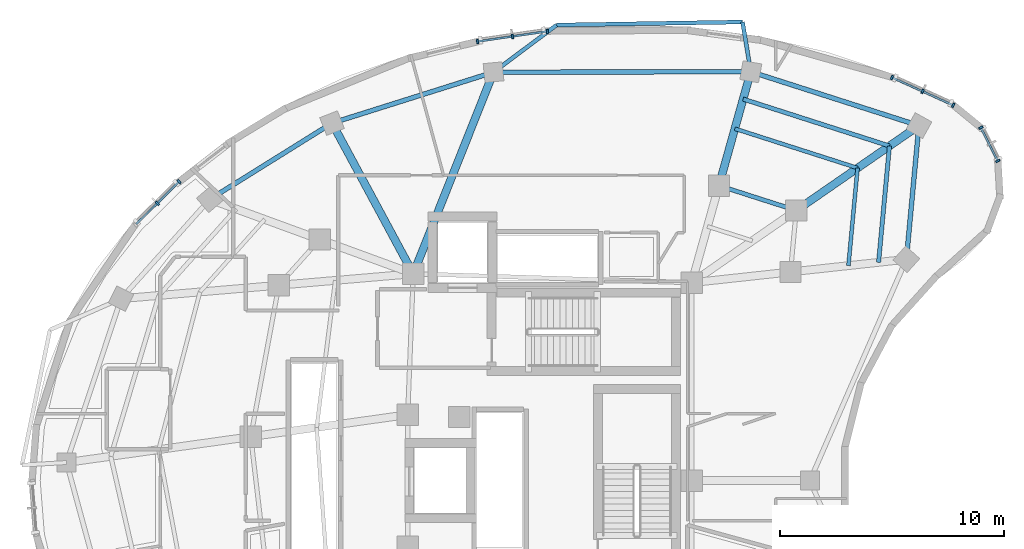
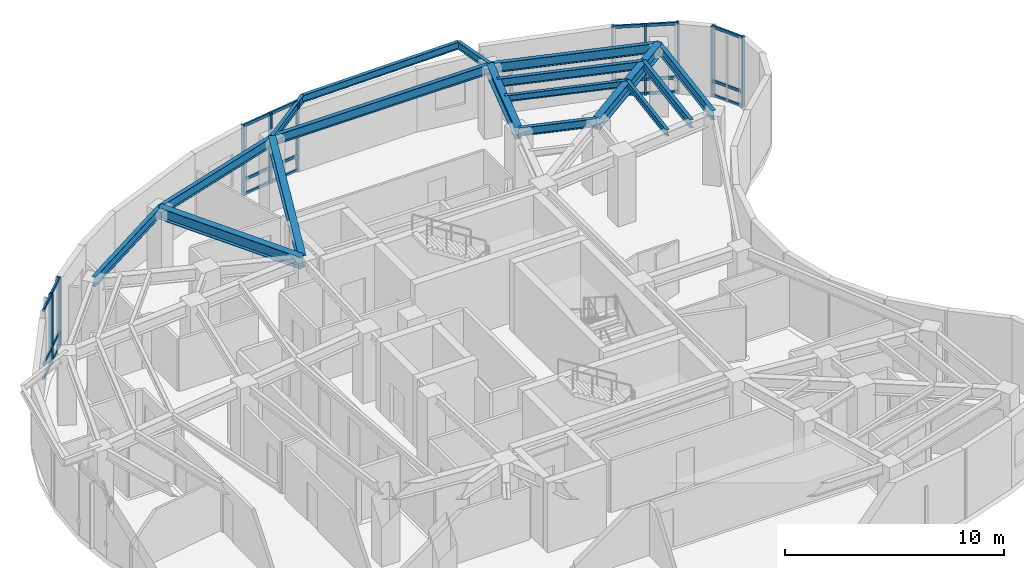
# One storey, part 5 of 13: 31 members, 17 beams, 4 elements without a shape of their own.
"""IFC4 building model written with IfcOpenShell, lengths in metres."""

import ifcopenshell
import ifcopenshell.guid

model = None  # the IFC model being written
_history = None  # IfcOwnerHistory: only IFC2X3 demands one
_inside = {}  # id of a spatial element -> (the spatial element, [elements in it])
_under = {}  # id of a project, library or spatial element -> (it, [spatial elements below it])
_declared = {}  # id of a project -> (the project, [libraries it declares])
_typed = {}  # id of a type object -> (the type object, [elements of that type])
_made_of = {}  # id of a material, layer set ... -> (it, [elements and type objects made of it])


def new_model(schema):
    """Start an empty IFC model of exactly this schema.

    Asked for "IFC4X3", IfcOpenShell would pick the latest addendum, in which some entities
    have other attributes; the version numbers below select the first issue.
    IFC2X3 requires an IfcOwnerHistory on every rooted entity: one is made here for all.
    """
    global model, _history
    if schema == "IFC4X3":
        model = ifcopenshell.file(schema_version=(4, 3, 0, 0))
    else:
        model = ifcopenshell.file(schema=schema)
    _inside.clear()
    _under.clear()
    _declared.clear()
    _typed.clear()
    _made_of.clear()
    _history = None
    if model.schema == "IFC2X3":
        org = make("IfcOrganization", Name="unknown")
        user = make(
            "IfcPersonAndOrganization",
            ThePerson=make("IfcPerson", FamilyName="unknown"),
            TheOrganization=org,
        )
        app = make(
            "IfcApplication",
            ApplicationDeveloper=org,
            Version="unknown",
            ApplicationFullName="unknown",
            ApplicationIdentifier="unknown",
        )
        _history = make(
            "IfcOwnerHistory",
            OwningUser=user,
            OwningApplication=app,
            ChangeAction="ADDED",
            CreationDate=0,
        )
    return model


def make(cls, **values):
    """One entity of the class cls with the attributes given. An attribute that is None is left unset."""
    return model.create_entity(
        cls, **{name: value for name, value in values.items() if value is not None}
    )


def rooted(cls, **values):
    """An entity with a GlobalId (a new one), such as an element, a storey or a relation."""
    return make(cls, GlobalId=ifcopenshell.guid.new(), OwnerHistory=_history, **values)


def si_unit(unit_type, name, prefix=None):
    """IfcSIUnit, for example si_unit("LENGTHUNIT", "METRE", prefix="MILLI")."""
    return make("IfcSIUnit", UnitType=unit_type, Prefix=prefix, Name=name)


def assignment(units):
    """IfcUnitAssignment: the units of a project."""
    return None if units is None else make("IfcUnitAssignment", Units=units)


def point(xyz):
    """IfcCartesianPoint."""
    return None if xyz is None else make("IfcCartesianPoint", Coordinates=xyz)


def direction(xyz):
    """IfcDirection."""
    return None if xyz is None else make("IfcDirection", DirectionRatios=xyz)


def frame(location, z_axis=None, x_axis=None):
    """IfcAxis2Placement3D, a coordinate frame: its origin and axes. An axis left out is left unset."""
    return make(
        "IfcAxis2Placement3D",
        Location=point(location),
        Axis=direction(z_axis),
        RefDirection=direction(x_axis),
    )


def frame_2d(location, x_axis=None):
    """IfcAxis2Placement2D, a coordinate frame in the plane: its origin and x axis."""
    return make(
        "IfcAxis2Placement2D", Location=point(location), RefDirection=direction(x_axis)
    )


def origin():
    """The frame at (0, 0, 0) with its axes left unset."""
    return frame((0.0, 0.0, 0.0))


def origin_2d():
    """The frame at (0, 0) in the plane with its x axis left unset."""
    return frame_2d((0.0, 0.0))


def place(relative_to, where):
    """IfcLocalPlacement: puts the frame where relative to a parent placement (None: the world)."""
    return make(
        "IfcLocalPlacement", PlacementRelTo=relative_to, RelativePlacement=where
    )


def context(
    kind, dimensions, precision=None, world=None, true_north=None, identifier=None
):
    """IfcGeometricRepresentationContext, for example the 3D "Model" context."""
    return make(
        "IfcGeometricRepresentationContext",
        ContextIdentifier=identifier,
        ContextType=kind,
        CoordinateSpaceDimension=dimensions,
        Precision=precision,
        WorldCoordinateSystem=world,
        TrueNorth=true_north,
    )


def subcontext(parent, identifier, kind, view, scale=None):
    """IfcGeometricRepresentationSubContext, for example "Body" below "Model"."""
    return make(
        "IfcGeometricRepresentationSubContext",
        ContextIdentifier=identifier,
        ContextType=kind,
        ParentContext=parent,
        TargetScale=scale,
        TargetView=view,
    )


def project(units=None, contexts=None):
    """IfcProject with its units and contexts."""
    return rooted(
        "IfcProject",
        Name="project",
        RepresentationContexts=contexts,
        UnitsInContext=assignment(units),
    )


def spatial(cls, under=None, at=None, **own):
    """A site, building, storey or space (cls), placed at a placement, below another one or the project."""
    s = rooted(cls, ObjectPlacement=at, **own)
    if under is not None:
        _under.setdefault(under.id(), (under, []))[1].append(s)
    return s


def profile(cls, at=None, kind="AREA", **sizes):
    """A parametric profile (cls). Its sizes go by their IFC names, for example OverallWidth=200.0."""
    return make(cls, ProfileType=kind, Position=at, **sizes)


def rectangle(**sizes):
    """IfcRectangleProfileDef."""
    return profile("IfcRectangleProfileDef", **sizes)


def i_section(**sizes):
    """IfcIShapeProfileDef."""
    return profile("IfcIShapeProfileDef", **sizes)


def extrude(swept, where, along, depth):
    """IfcExtrudedAreaSolid: the profile swept, set in the frame where, extruded along a direction by depth."""
    return make(
        "IfcExtrudedAreaSolid",
        SweptArea=swept,
        Position=where,
        ExtrudedDirection=direction(along),
        Depth=depth,
    )


def shape(context_of_items, identifier, shape_type, items):
    """IfcShapeRepresentation: the items that make up one representation, for example the "Body"."""
    return make(
        "IfcShapeRepresentation",
        ContextOfItems=context_of_items,
        RepresentationIdentifier=identifier,
        RepresentationType=shape_type,
        Items=items,
    )


def material(Name=None, Category=None):
    """IfcMaterial."""
    return make("IfcMaterial", Name=Name, Category=Category)


def layer(
    of_material, thickness, ventilated=None, Name=None, Category=None, Priority=None
):
    """IfcMaterialLayer: one layer of a wall or slab, of a material (None: an air gap)."""
    return make(
        "IfcMaterialLayer",
        Material=of_material,
        LayerThickness=thickness,
        IsVentilated=ventilated,
        Name=Name,
        Category=Category,
        Priority=Priority,
    )


def layer_set(layers, Name=None):
    """IfcMaterialLayerSet."""
    return make("IfcMaterialLayerSet", MaterialLayers=layers, LayerSetName=Name)


def material_profile(
    of_material, cross_section, Name=None, Category=None, Priority=None
):
    """IfcMaterialProfile: a cross section and its material."""
    return make(
        "IfcMaterialProfile",
        Name=Name,
        Material=of_material,
        Profile=cross_section,
        Priority=Priority,
        Category=Category,
    )


def profile_set(profiles, Name=None, composite=None):
    """IfcMaterialProfileSet."""
    return make(
        "IfcMaterialProfileSet",
        Name=Name,
        MaterialProfiles=profiles,
        CompositeProfile=composite,
    )


def made_of(thing, what):
    """Note that an element or type object is made of a material, layer set ...; save() writes the relation."""
    if what is not None:
        _made_of.setdefault(what.id(), (what, []))[1].append(thing)
    return thing


def type_object(cls, material=None, **own):
    """A type object (cls), such as IfcWallType, which elements share."""
    return made_of(rooted(cls, **own), material)


def element(
    cls,
    number,
    at=None,
    inside=None,
    cuts=None,
    type_object=None,
    material=None,
    context=None,
    identifier="Body",
    shape_type=None,
    held_by="IfcProductDefinitionShape",
    body=None,
    shapes=None,
    **own,
):
    """One element of the class cls, such as IfcWall. Its Tag is "e" and its number.

    at: its placement. inside: the storey or other place that contains it. cuts: it is an
    opening in that element (IfcRelVoidsElement). A single representation is given by context,
    identifier, shape_type and body (its items); several are given by shapes. held_by: the class
    of the entity that holds the representations. save() writes the other relations.
    """
    e = rooted(cls, Tag="e%d" % number, ObjectPlacement=at, **own)
    if body is not None:
        shapes = [shape(context, identifier, shape_type, body)]
    if shapes is not None:
        e.Representation = make(held_by, Representations=shapes)
    if inside is not None:
        _inside.setdefault(inside.id(), (inside, []))[1].append(e)
    if cuts is not None:
        rooted(
            "IfcRelVoidsElement", RelatingBuildingElement=cuts, RelatedOpeningElement=e
        )
    if type_object is not None:
        _typed.setdefault(type_object.id(), (type_object, []))[1].append(e)
    return made_of(e, material)


def aggregate(whole, parts):
    """IfcRelAggregates: a whole, such as a stair, and the parts it consists of."""
    return rooted("IfcRelAggregates", RelatingObject=whole, RelatedObjects=parts)


def save(model, path):
    """Write the relations noted so far, then the file.

    IfcRelAggregates (storeys below a building ...), IfcRelContainedInSpatialStructure (elements
    in a storey), IfcRelDefinesByType, IfcRelAssociatesMaterial and IfcRelDeclares: one each for
    every whole, place, type object, material and project.
    """
    for whole, parts in _under.values():
        aggregate(whole, parts)
    for where, things in _inside.values():
        rooted(
            "IfcRelContainedInSpatialStructure",
            RelatedElements=things,
            RelatingStructure=where,
        )
    for kind, things in _typed.values():
        rooted("IfcRelDefinesByType", RelatedObjects=things, RelatingType=kind)
    for what, things in _made_of.values():
        rooted("IfcRelAssociatesMaterial", RelatedObjects=things, RelatingMaterial=what)
    for by, libraries in _declared.values():
        rooted("IfcRelDeclares", RelatingContext=by, RelatedDefinitions=libraries)
    model.write(path)


model = new_model("IFC4")

# Units and contexts
model_context = context("Model", 3, precision=1e-05, world=origin(), true_north=direction((0.0, 1.0)))
body_context = subcontext(model_context, "Body", "Model", "MODEL_VIEW")
ifc_project = project(units=[si_unit("LENGTHUNIT", "METRE"), si_unit("AREAUNIT", "SQUARE_METRE"), si_unit("VOLUMEUNIT", "CUBIC_METRE"), si_unit("PLANEANGLEUNIT", "RADIAN"), si_unit("MASSUNIT", "GRAM", prefix="KILO")], contexts=[model_context])

# Site, building, storey
site_placement = place(None, origin())
site = spatial("IfcSite", under=ifc_project, at=site_placement, CompositionType="ELEMENT")
building_placement = place(site_placement, origin())
building = spatial("IfcBuilding", under=site, at=building_placement, Name="Korentha Bioscience Tower", CompositionType="ELEMENT")
storey_placement = place(building_placement, frame((0.0, 0.0, 260.39990234375)))
storey = spatial("IfcBuildingStorey", under=building, at=storey_placement, Name="L60", CompositionType="ELEMENT", Elevation=260.39990234375)

# Beam
ifc_material_1 = material(Name="Steel S355", Category="steel")
ifc_material_profile_1 = material_profile(ifc_material_1, i_section(OverallWidth=0.18994140625, OverallDepth=0.45703125, WebThickness=0.009033203125, FlangeThickness=0.014404296875, at=origin_2d()), Name="Steel S355")
ifc_profile_set_1 = profile_set([ifc_material_profile_1], Name="Steel S355 (MB-460)")
beam_type_1 = type_object("IfcBeamType", Name="Mid-Ring Tie Girder W460x74", PredefinedType="BEAM", material=ifc_profile_set_1)
beam_1_placement = place(storey_placement, frame((42.2216796875, 39.08056640625, 3.671630859375), z_axis=(-0.952264747125, 0.305273404318, 0.0), x_axis=(-0.305273404318, -0.952264747125, 0.0)))
element("IfcBeam", 1, at=beam_1_placement, inside=storey, type_object=beam_type_1, Name="L60 Mid-Ring Tie Girder 01", PredefinedType="BEAM", context=body_context, shape_type="SweptSolid", body=[
    extrude(i_section(OverallWidth=0.18994140625, OverallDepth=0.45703125, WebThickness=0.009033203125, FlangeThickness=0.014404296875, at=origin_2d()), origin(), (0.0, 0.0, 1.0), 3.630859375),
])

# Curtain wall, members
ifc_material_2 = material(Name="Thermally Broken Aluminium Frame", Category="aluminium")
ifc_layer = layer(ifc_material_2, 0.219970703125, Name="Thermally Broken Aluminium Frame")
ifc_layer_set = layer_set([ifc_layer], Name="Thermally Broken Aluminium Frame (CW-T2)")
curtain_wall_type = type_object("IfcCurtainWallType", Name="Solar-Screened Lab Unitised Curtain Wall CW-T2", PredefinedType="USERDEFINED", material=ifc_layer_set)
curtain_wall_1_placement = place(storey_placement, origin())
curtain_wall_1 = element("IfcCurtainWall", 2, at=curtain_wall_1_placement, inside=storey, type_object=curtain_wall_type, Name="L60 Curtain Wall 01", ObjectType="UNITISED", PredefinedType="USERDEFINED")
ifc_material_3 = material(Name="Anodised Aluminium 6063-T6", Category="aluminium")
ifc_material_profile_2 = material_profile(ifc_material_3, rectangle(XDim=0.090087890625, YDim=0.199951171875, at=origin_2d()), Name="Anodised Aluminium 6063-T6")
ifc_profile_set_2 = profile_set([ifc_material_profile_2], Name="Anodised Aluminium 6063-T6 (CW-MUL)")
member_type_1 = type_object("IfcMemberType", Name="Mullion RECT 90x200", PredefinedType="MULLION", material=ifc_profile_set_2)
member_1_placement = place(storey_placement, frame((49.239501953125, 43.780517578125, 0.0), z_axis=(0.0, 0.0, 1.0), x_axis=(-0.910604060449, 0.413279862918, 0.0)))
member_1 = element("IfcMember", 3, at=member_1_placement, type_object=member_type_1, Name="CW-L60-01 Mullion 1", PredefinedType="MULLION", context=body_context, shape_type="SweptSolid", body=[
    extrude(rectangle(XDim=0.090087890625, YDim=0.199951171875, at=origin_2d()), origin(), (0.0, 0.0, 1.0), 3.900146484375),
])
member_2_placement = place(storey_placement, frame((47.870361328125, 44.40185546875, 0.0), z_axis=(0.0, 0.0, 1.0), x_axis=(-0.910604060449, 0.413279862918, 0.0)))
member_2 = element("IfcMember", 4, at=member_2_placement, type_object=member_type_1, Name="CW-L60-01 Mullion 2", PredefinedType="MULLION", context=body_context, shape_type="SweptSolid", body=[
    extrude(rectangle(XDim=0.090087890625, YDim=0.199951171875, at=origin_2d()), origin(), (0.0, 0.0, 1.0), 3.900146484375),
])
member_3_placement = place(storey_placement, frame((46.501220703125, 45.023193359375, 0.0), z_axis=(0.0, 0.0, 1.0), x_axis=(-0.910604060449, 0.413279862918, 0.0)))
member_3 = element("IfcMember", 5, at=member_3_placement, type_object=member_type_1, Name="CW-L60-01 Mullion 3", PredefinedType="MULLION", context=body_context, shape_type="SweptSolid", body=[
    extrude(rectangle(XDim=0.090087890625, YDim=0.199951171875, at=origin_2d()), origin(), (0.0, 0.0, 1.0), 3.900146484375),
])

curtain_wall_2_placement = place(storey_placement, origin())
curtain_wall_2 = element("IfcCurtainWall", 6, at=curtain_wall_2_placement, inside=storey, type_object=curtain_wall_type, Name="L60 Curtain Wall 07", ObjectType="UNITISED", PredefinedType="USERDEFINED")
member_4_placement = place(storey_placement, frame((31.091064453125, 47.087890625, 0.0), z_axis=(0.0, 0.0, 1.0), x_axis=(-0.989459665324, -0.144808738328, 0.0)))
member_4 = element("IfcMember", 7, at=member_4_placement, type_object=member_type_1, Name="CW-L60-07 Mullion 1", PredefinedType="MULLION", context=body_context, shape_type="SweptSolid", body=[
    extrude(rectangle(XDim=0.090087890625, YDim=0.199951171875, at=origin_2d()), origin(), (0.0, 0.0, 1.0), 3.900146484375),
])
member_5_placement = place(storey_placement, frame((29.52880859375, 46.859375, 0.0), z_axis=(0.0, 0.0, 1.0), x_axis=(-0.989459665324, -0.144808738328, 0.0)))
member_5 = element("IfcMember", 8, at=member_5_placement, type_object=member_type_1, Name="CW-L60-07 Mullion 2", PredefinedType="MULLION", context=body_context, shape_type="SweptSolid", body=[
    extrude(rectangle(XDim=0.090087890625, YDim=0.199951171875, at=origin_2d()), origin(), (0.0, 0.0, 1.0), 3.900146484375),
])
member_6_placement = place(storey_placement, frame((27.966552734375, 46.630615234375, 0.0), z_axis=(0.0, 0.0, 1.0), x_axis=(-0.989459665324, -0.144808738328, 0.0)))
member_6 = element("IfcMember", 9, at=member_6_placement, type_object=member_type_1, Name="CW-L60-07 Mullion 3", PredefinedType="MULLION", context=body_context, shape_type="SweptSolid", body=[
    extrude(rectangle(XDim=0.090087890625, YDim=0.199951171875, at=origin_2d()), origin(), (0.0, 0.0, 1.0), 3.900146484375),
])

curtain_wall_3_placement = place(storey_placement, origin())
curtain_wall_3 = element("IfcCurtainWall", 10, at=curtain_wall_3_placement, inside=storey, type_object=curtain_wall_type, Name="L60 Curtain Wall 13", ObjectType="UNITISED", PredefinedType="USERDEFINED")
member_7_placement = place(storey_placement, frame((14.6328125, 40.364990234375, 0.0), z_axis=(0.0, 0.0, 1.0), x_axis=(-0.711397700041, -0.702789664392, 0.0)))
member_7 = element("IfcMember", 11, at=member_7_placement, type_object=member_type_1, Name="CW-L60-13 Mullion 1", PredefinedType="MULLION", context=body_context, shape_type="SweptSolid", body=[
    extrude(rectangle(XDim=0.090087890625, YDim=0.199951171875, at=origin_2d()), origin(), (0.0, 0.0, 1.0), 3.900146484375),
])
member_8_placement = place(storey_placement, frame((13.656494140625, 39.400390625, 0.0), z_axis=(0.0, 0.0, 1.0), x_axis=(-0.711397700041, -0.702789664392, 0.0)))
member_8 = element("IfcMember", 12, at=member_8_placement, type_object=member_type_1, Name="CW-L60-13 Mullion 2", PredefinedType="MULLION", context=body_context, shape_type="SweptSolid", body=[
    extrude(rectangle(XDim=0.090087890625, YDim=0.199951171875, at=origin_2d()), origin(), (0.0, 0.0, 1.0), 3.900146484375),
])

curtain_wall_4_placement = place(storey_placement, origin())
curtain_wall_4 = element("IfcCurtainWall", 13, at=curtain_wall_4_placement, inside=storey, type_object=curtain_wall_type, Name="L60 Curtain Wall 61", ObjectType="UNITISED", PredefinedType="USERDEFINED")
member_9_placement = place(storey_placement, frame((51.231201171875, 41.293212890625, 0.0), z_axis=(0.0, 0.0, 1.0), x_axis=(-0.454238686477, 0.890880023184, 0.0)))
member_9 = element("IfcMember", 14, at=member_9_placement, type_object=member_type_1, Name="CW-L60-61 Mullion 1", PredefinedType="MULLION", context=body_context, shape_type="SweptSolid", body=[
    extrude(rectangle(XDim=0.090087890625, YDim=0.199951171875, at=origin_2d()), origin(), (0.0, 0.0, 1.0), 3.900146484375),
])
member_10_placement = place(storey_placement, frame((50.471923828125, 42.782470703125, 0.0), z_axis=(0.0, 0.0, 1.0), x_axis=(-0.454238686477, 0.890880023184, 0.0)))
member_10 = element("IfcMember", 15, at=member_10_placement, type_object=member_type_1, Name="CW-L60-61 Mullion 2", PredefinedType="MULLION", context=body_context, shape_type="SweptSolid", body=[
    extrude(rectangle(XDim=0.090087890625, YDim=0.199951171875, at=origin_2d()), origin(), (0.0, 0.0, 1.0), 3.900146484375),
])

# Beams
ifc_material_profile_3 = material_profile(ifc_material_1, i_section(OverallWidth=0.208984375, OverallDepth=0.532958984375, WebThickness=0.01025390625, FlangeThickness=0.015625, at=origin_2d()), Name="Steel S355")
ifc_profile_set_3 = profile_set([ifc_material_profile_3], Name="Steel S355 (SB-530)")
beam_type_2 = type_object("IfcBeamType", Name="Perimeter Ring Spandrel Girder W530x92", PredefinedType="SPANDREL", material=ifc_profile_set_3)
beam_2_placement = place(storey_placement, frame((47.7060546875, 42.873046875, 3.633544921875), z_axis=(-0.952281827014, 0.305220120468, 0.0), x_axis=(-0.305220120468, -0.952281827014, 0.0)))
element("IfcBeam", 16, at=beam_2_placement, inside=storey, type_object=beam_type_2, Name="L60 Perimeter Spandrel Girder 01", PredefinedType="SPANDREL", context=body_context, shape_type="SweptSolid", body=[
    extrude(i_section(OverallWidth=0.208984375, OverallDepth=0.532958984375, WebThickness=0.01025390625, FlangeThickness=0.015625, at=origin_2d()), origin(), (0.0, 0.0, 1.0), 7.893310546875),
])
beam_3_placement = place(storey_placement, frame((40.189453125, 45.2822265625, 3.633544921875), z_axis=(-0.999998255351, -0.001867965325, 0.0), x_axis=(0.001867965325, -0.999998255351, 0.0)))
element("IfcBeam", 17, at=beam_3_placement, inside=storey, type_object=beam_type_2, Name="L60 Perimeter Spandrel Girder 02", PredefinedType="SPANDREL", context=body_context, shape_type="SweptSolid", body=[
    extrude(i_section(OverallWidth=0.208984375, OverallDepth=0.532958984375, WebThickness=0.01025390625, FlangeThickness=0.015625, at=origin_2d()), origin(), (0.0, 0.0, 1.0), 11.50146484375),
])
beam_4_placement = place(storey_placement, frame((28.68798828125, 45.2607421875, 3.633544921875), z_axis=(-0.953788154386, -0.300479877118, 0.0), x_axis=(0.300479877118, -0.953788154386, 0.0)))
element("IfcBeam", 18, at=beam_4_placement, inside=storey, type_object=beam_type_2, Name="L60 Perimeter Spandrel Girder 03", PredefinedType="SPANDREL", context=body_context, shape_type="SweptSolid", body=[
    extrude(i_section(OverallWidth=0.208984375, OverallDepth=0.532958984375, WebThickness=0.01025390625, FlangeThickness=0.015625, at=origin_2d()), origin(), (0.0, 0.0, 1.0), 7.5693359375),
])
beam_5_placement = place(storey_placement, frame((21.468505859375, 42.986328125, 3.633544921875), z_axis=(-0.848585501162, -0.529058264482, 0.0), x_axis=(0.529058264482, -0.848585501162, 0.0)))
element("IfcBeam", 19, at=beam_5_placement, inside=storey, type_object=beam_type_2, Name="L60 Perimeter Spandrel Girder 04", PredefinedType="SPANDREL", context=body_context, shape_type="SweptSolid", body=[
    extrude(i_section(OverallWidth=0.208984375, OverallDepth=0.532958984375, WebThickness=0.01025390625, FlangeThickness=0.015625, at=origin_2d()), origin(), (0.0, 0.0, 1.0), 6.441162109375),
])
beam_6_placement = place(storey_placement, frame((47.1455078125, 36.8955078125, 3.633544921875), z_axis=(0.093365902602, 0.995631863809, 0.0), x_axis=(-0.995631863809, 0.093365902602, 0.0)))
element("IfcBeam", 20, at=beam_6_placement, inside=storey, type_object=beam_type_2, Name="L60 Perimeter Spandrel Girder 16", PredefinedType="SPANDREL", context=body_context, shape_type="SweptSolid", body=[
    extrude(i_section(OverallWidth=0.208984375, OverallDepth=0.532958984375, WebThickness=0.01025390625, FlangeThickness=0.015625, at=origin_2d()), origin(), (0.0, 0.0, 1.0), 6.003662109375),
])
ifc_material_profile_4 = material_profile(ifc_material_1, i_section(OverallWidth=0.18994140625, OverallDepth=0.45703125, WebThickness=0.009033203125, FlangeThickness=0.014404296875, at=origin_2d()), Name="Steel S355")
ifc_profile_set_4 = profile_set([ifc_material_profile_4], Name="Steel S355 (RB-460)")
beam_type_3 = type_object("IfcBeamType", Name="Radial Laboratory Beam W460x74", PredefinedType="BEAM", material=ifc_profile_set_4)
beam_7_placement = place(storey_placement, frame((46.389892578125, 41.962890625, 3.671630859375), z_axis=(-0.952283347378, 0.305215376917, 0.0), x_axis=(-0.305215376917, -0.952283347378, 0.0)))
element("IfcBeam", 21, at=beam_7_placement, inside=storey, type_object=beam_type_3, Name="L60 Secondary Floor Beam JSTO-01", PredefinedType="BEAM", context=body_context, shape_type="SweptSolid", body=[
    extrude(i_section(OverallWidth=0.18994140625, OverallDepth=0.45703125, WebThickness=0.009033203125, FlangeThickness=0.014404296875, at=origin_2d()), origin(), (0.0, 0.0, 1.0), 6.870361328125),
])
beam_8_placement = place(storey_placement, frame((45.90185546875, 36.760009765625, 3.671630859375), z_axis=(0.093391362324, 0.995629475982, 0.0), x_axis=(-0.995629475982, 0.093391362324, 0.0)))
element("IfcBeam", 22, at=beam_8_placement, inside=storey, type_object=beam_type_3, Name="L60 Secondary Floor Beam JSTO-16", PredefinedType="BEAM", context=body_context, shape_type="SweptSolid", body=[
    extrude(i_section(OverallWidth=0.18994140625, OverallDepth=0.45703125, WebThickness=0.009033203125, FlangeThickness=0.014404296875, at=origin_2d()), origin(), (0.0, 0.0, 1.0), 5.225830078125),
])
ifc_material_profile_5 = material_profile(ifc_material_1, i_section(OverallWidth=0.35009765625, OverallDepth=0.64990234375, WebThickness=0.01611328125, FlangeThickness=0.02490234375, at=origin_2d()), Name="Steel S355")
ifc_profile_set_5 = profile_set([ifc_material_profile_5], Name="Steel S355 (RB-650)")
beam_type_4 = type_object("IfcBeamType", Name="Radial Laboratory Girder CVS 650x208", PredefinedType="BEAM", material=ifc_profile_set_5)
beam_9_placement = place(storey_placement, frame((42.2216796875, 39.08056640625, 3.5751953125), z_axis=(0.822500508627, 0.568764374155, 0.0), x_axis=(-0.568764374155, 0.822500508627, 0.0)))
element("IfcBeam", 23, at=beam_9_placement, inside=storey, type_object=beam_type_4, Name="L60 Outer Radial Girder 01", PredefinedType="BEAM", context=body_context, shape_type="SweptSolid", body=[
    extrude(i_section(OverallWidth=0.35009765625, OverallDepth=0.64990234375, WebThickness=0.01611328125, FlangeThickness=0.02490234375, at=origin_2d()), origin(), (0.0, 0.0, 1.0), 6.66796875),
])
beam_10_placement = place(storey_placement, frame((38.76416015625, 40.18896484375, 3.5751953125), z_axis=(0.26948609841, 0.963004279723, 0.0), x_axis=(-0.963004279723, 0.26948609841, 0.0)))
element("IfcBeam", 24, at=beam_10_placement, inside=storey, type_object=beam_type_4, Name="L60 Outer Radial Girder 02", PredefinedType="BEAM", context=body_context, shape_type="SweptSolid", body=[
    extrude(i_section(OverallWidth=0.35009765625, OverallDepth=0.64990234375, WebThickness=0.01611328125, FlangeThickness=0.02490234375, at=origin_2d()), origin(), (0.0, 0.0, 1.0), 5.288818359375),
])
beam_11_placement = place(storey_placement, frame((25.10009765625, 36.25, 3.5751953125), z_axis=(0.369931961537, 0.929058848423, 0.0), x_axis=(-0.929058848423, 0.369931961537, 0.0)))
element("IfcBeam", 25, at=beam_11_placement, inside=storey, type_object=beam_type_4, Name="L60 Radial Girder 03", PredefinedType="BEAM", context=body_context, shape_type="SweptSolid", body=[
    extrude(i_section(OverallWidth=0.35009765625, OverallDepth=0.64990234375, WebThickness=0.01611328125, FlangeThickness=0.02490234375, at=origin_2d()), origin(), (0.0, 0.0, 1.0), 9.69873046875),
])
beam_12_placement = place(storey_placement, frame((25.10009765625, 36.25, 3.5751953125), z_axis=(-0.474539218542, 0.880234360875, 0.0), x_axis=(-0.880234360875, -0.474539218542, 0.0)))
element("IfcBeam", 26, at=beam_12_placement, inside=storey, type_object=beam_type_4, Name="L60 Radial Girder 04", PredefinedType="BEAM", context=body_context, shape_type="SweptSolid", body=[
    extrude(i_section(OverallWidth=0.35009765625, OverallDepth=0.64990234375, WebThickness=0.01611328125, FlangeThickness=0.02490234375, at=origin_2d()), origin(), (0.0, 0.0, 1.0), 7.65283203125),
])
ifc_material_profile_6 = material_profile(ifc_material_1, i_section(OverallWidth=0.1708984375, OverallDepth=0.35498046875, WebThickness=0.007080078125, FlangeThickness=0.01171875, at=origin_2d()), Name="Steel S355")
ifc_profile_set_6 = profile_set([ifc_material_profile_6], Name="Steel S355 (JB-360)")
beam_type_5 = type_object("IfcBeamType", Name="Secondary Laboratory Joist W360x51", PredefinedType="JOIST", material=ifc_profile_set_6)
beam_13_placement = place(storey_placement, frame((44.9638671875, 40.976806640625, 3.72265625), z_axis=(-0.95227644606, 0.30523690845, 0.0), x_axis=(-0.30523690845, -0.95227644606, 0.0)))
element("IfcBeam", 27, at=beam_13_placement, inside=storey, type_object=beam_type_5, Name="L60 Secondary Floor Beam JST-01", PredefinedType="JOIST", context=body_context, shape_type="SweptSolid", body=[
    extrude(i_section(OverallWidth=0.1708984375, OverallDepth=0.35498046875, WebThickness=0.007080078125, FlangeThickness=0.01171875, at=origin_2d()), origin(), (0.0, 0.0, 1.0), 5.761962890625),
])
beam_14_placement = place(storey_placement, frame((44.5546875, 36.61328125, 3.72265625), z_axis=(0.093363142036, 0.995632122678, 0.0), x_axis=(-0.995632122678, 0.093363142036, 0.0)))
element("IfcBeam", 28, at=beam_14_placement, inside=storey, type_object=beam_type_5, Name="L60 Secondary Floor Beam JST-16", PredefinedType="JOIST", context=body_context, shape_type="SweptSolid", body=[
    extrude(i_section(OverallWidth=0.1708984375, OverallDepth=0.35498046875, WebThickness=0.007080078125, FlangeThickness=0.01171875, at=origin_2d()), origin(), (0.0, 0.0, 1.0), 4.382568359375),
])
ifc_material_profile_7 = material_profile(ifc_material_1, i_section(OverallWidth=0.177978515625, OverallDepth=0.406982421875, WebThickness=0.0078125, FlangeThickness=0.0126953125, at=origin_2d()), Name="Steel S355")
ifc_profile_set_7 = profile_set([ifc_material_profile_7], Name="Steel S355 (CB-410)")
beam_type_6 = type_object("IfcBeamType", Name="Sun-Ledge Cantilever Beam W410x60", PredefinedType="BEAM", material=ifc_profile_set_7)
beam_15_placement = place(storey_placement, frame((40.189453125, 45.2822265625, 3.698486328125), z_axis=(-0.163327525463, 0.986571902816, 0.0), x_axis=(-0.986571902816, -0.163327525463, 0.0)))
element("IfcBeam", 29, at=beam_15_placement, inside=storey, type_object=beam_type_6, Name="L60 Balcony Cantilever Bracket A-L61-01", PredefinedType="BEAM", context=body_context, shape_type="SweptSolid", body=[
    extrude(i_section(OverallWidth=0.177978515625, OverallDepth=0.406982421875, WebThickness=0.0078125, FlangeThickness=0.0126953125, at=origin_2d()), origin(), (0.0, 0.0, 1.0), 2.254150390625),
])
beam_16_placement = place(storey_placement, frame((28.68798828125, 45.2607421875, 3.698486328125), z_axis=(0.800756769603, 0.598989645933, 0.0), x_axis=(-0.598989645933, 0.800756769603, 0.0)))
element("IfcBeam", 30, at=beam_16_placement, inside=storey, type_object=beam_type_6, Name="L60 Balcony Cantilever Bracket B-L61-01", PredefinedType="BEAM", context=body_context, shape_type="SweptSolid", body=[
    extrude(i_section(OverallWidth=0.177978515625, OverallDepth=0.406982421875, WebThickness=0.0078125, FlangeThickness=0.0126953125, at=origin_2d()), origin(), (0.0, 0.0, 1.0), 3.52001953125),
])
beam_17_placement = place(storey_placement, frame((39.8212890625, 47.506103515625, 3.698486328125), z_axis=(-0.999864357877, -0.016470150183, 0.0), x_axis=(0.016470150183, -0.999864357877, 0.0)))
element("IfcBeam", 31, at=beam_17_placement, inside=storey, type_object=beam_type_6, Name="L60 Balcony Edge Trimmer Beam L61-01", PredefinedType="BEAM", context=body_context, shape_type="SweptSolid", body=[
    extrude(i_section(OverallWidth=0.177978515625, OverallDepth=0.406982421875, WebThickness=0.0078125, FlangeThickness=0.0126953125, at=origin_2d()), origin(), (0.0, 0.0, 1.0), 8.31591796875),
])

# Member
ifc_material_profile_8 = material_profile(ifc_material_3, rectangle(XDim=0.090087890625, YDim=0.159912109375, at=origin_2d()), Name="Anodised Aluminium 6063-T6")
ifc_profile_set_8 = profile_set([ifc_material_profile_8], Name="Anodised Aluminium 6063-T6 (CW-TRN)")
member_type_2 = type_object("IfcMemberType", Name="Transom RECT 90x160", PredefinedType="USERDEFINED", material=ifc_profile_set_8)
member_11_placement = place(storey_placement, frame((49.198486328125, 43.799072265625, 0.045166015625), z_axis=(-0.910585208958, 0.41332139701, 0.0), x_axis=(-0.41332139701, -0.910585208958, 0.0)))
member_11 = element("IfcMember", 32, at=member_11_placement, type_object=member_type_2, Name="CW-L60-01 Bay 1 Transom 1", ObjectType="TRANSOM", PredefinedType="USERDEFINED", context=body_context, shape_type="SweptSolid", body=[
    extrude(rectangle(XDim=0.090087890625, YDim=0.159912109375, at=origin_2d()), origin(), (0.0, 0.0, 1.0), 1.41357421875),
])

member_12_placement = place(storey_placement, frame((49.198486328125, 43.799072265625, 0.85009765625), z_axis=(-0.910585208958, 0.41332139701, 0.0), x_axis=(-0.41332139701, -0.910585208958, 0.0)))
member_12 = element("IfcMember", 33, at=member_12_placement, type_object=member_type_2, Name="CW-L60-01 Bay 1 Transom 2", ObjectType="TRANSOM", PredefinedType="USERDEFINED", context=body_context, shape_type="SweptSolid", body=[
    extrude(rectangle(XDim=0.090087890625, YDim=0.159912109375, at=origin_2d()), origin(), (0.0, 0.0, 1.0), 1.41357421875),
])

member_13_placement = place(storey_placement, frame((49.198486328125, 43.799072265625, 3.85498046875), z_axis=(-0.910585208958, 0.41332139701, 0.0), x_axis=(-0.41332139701, -0.910585208958, 0.0)))
member_13 = element("IfcMember", 34, at=member_13_placement, type_object=member_type_2, Name="CW-L60-01 Bay 1 Transom 3", ObjectType="TRANSOM", PredefinedType="USERDEFINED", context=body_context, shape_type="SweptSolid", body=[
    extrude(rectangle(XDim=0.090087890625, YDim=0.159912109375, at=origin_2d()), origin(), (0.0, 0.0, 1.0), 1.41357421875),
])

member_14_placement = place(storey_placement, frame((47.829345703125, 44.42041015625, 0.045166015625), z_axis=(-0.910585208958, 0.41332139701, 0.0), x_axis=(-0.41332139701, -0.910585208958, 0.0)))
member_14 = element("IfcMember", 35, at=member_14_placement, type_object=member_type_2, Name="CW-L60-01 Bay 2 Transom 1", ObjectType="TRANSOM", PredefinedType="USERDEFINED", context=body_context, shape_type="SweptSolid", body=[
    extrude(rectangle(XDim=0.090087890625, YDim=0.159912109375, at=origin_2d()), origin(), (0.0, 0.0, 1.0), 1.41357421875),
])

member_15_placement = place(storey_placement, frame((47.829345703125, 44.42041015625, 0.85009765625), z_axis=(-0.910585208958, 0.41332139701, 0.0), x_axis=(-0.41332139701, -0.910585208958, 0.0)))
member_15 = element("IfcMember", 36, at=member_15_placement, type_object=member_type_2, Name="CW-L60-01 Bay 2 Transom 2", ObjectType="TRANSOM", PredefinedType="USERDEFINED", context=body_context, shape_type="SweptSolid", body=[
    extrude(rectangle(XDim=0.090087890625, YDim=0.159912109375, at=origin_2d()), origin(), (0.0, 0.0, 1.0), 1.41357421875),
])

member_16_placement = place(storey_placement, frame((47.829345703125, 44.42041015625, 3.85498046875), z_axis=(-0.910585208958, 0.41332139701, 0.0), x_axis=(-0.41332139701, -0.910585208958, 0.0)))
member_16 = element("IfcMember", 37, at=member_16_placement, type_object=member_type_2, Name="CW-L60-01 Bay 2 Transom 3", ObjectType="TRANSOM", PredefinedType="USERDEFINED", context=body_context, shape_type="SweptSolid", body=[
    extrude(rectangle(XDim=0.090087890625, YDim=0.159912109375, at=origin_2d()), origin(), (0.0, 0.0, 1.0), 1.41357421875),
])

aggregate(curtain_wall_1, [member_1, member_2, member_3, member_11, member_12, member_13, member_14, member_15, member_16])

member_17_placement = place(storey_placement, frame((31.04638671875, 47.08154296875, 0.045166015625), z_axis=(-0.989461637153, -0.144795264436, 0.0), x_axis=(0.144795264436, -0.989461637153, 0.0)))
member_17 = element("IfcMember", 38, at=member_17_placement, type_object=member_type_2, Name="CW-L60-07 Bay 1 Transom 1", ObjectType="TRANSOM", PredefinedType="USERDEFINED", context=body_context, shape_type="SweptSolid", body=[
    extrude(rectangle(XDim=0.090087890625, YDim=0.159912109375, at=origin_2d()), origin(), (0.0, 0.0, 1.0), 1.48876953125),
])

member_18_placement = place(storey_placement, frame((31.04638671875, 47.08154296875, 0.85009765625), z_axis=(-0.989461637153, -0.144795264436, 0.0), x_axis=(0.144795264436, -0.989461637153, 0.0)))
member_18 = element("IfcMember", 39, at=member_18_placement, type_object=member_type_2, Name="CW-L60-07 Bay 1 Transom 2", ObjectType="TRANSOM", PredefinedType="USERDEFINED", context=body_context, shape_type="SweptSolid", body=[
    extrude(rectangle(XDim=0.090087890625, YDim=0.159912109375, at=origin_2d()), origin(), (0.0, 0.0, 1.0), 1.48876953125),
])

member_19_placement = place(storey_placement, frame((31.04638671875, 47.08154296875, 3.85498046875), z_axis=(-0.989461637153, -0.144795264436, 0.0), x_axis=(0.144795264436, -0.989461637153, 0.0)))
member_19 = element("IfcMember", 40, at=member_19_placement, type_object=member_type_2, Name="CW-L60-07 Bay 1 Transom 3", ObjectType="TRANSOM", PredefinedType="USERDEFINED", context=body_context, shape_type="SweptSolid", body=[
    extrude(rectangle(XDim=0.090087890625, YDim=0.159912109375, at=origin_2d()), origin(), (0.0, 0.0, 1.0), 1.48876953125),
])

member_20_placement = place(storey_placement, frame((29.484130859375, 46.852783203125, 0.045166015625), z_axis=(-0.989461637153, -0.144795264436, 0.0), x_axis=(0.144795264436, -0.989461637153, 0.0)))
member_20 = element("IfcMember", 41, at=member_20_placement, type_object=member_type_2, Name="CW-L60-07 Bay 2 Transom 1", ObjectType="TRANSOM", PredefinedType="USERDEFINED", context=body_context, shape_type="SweptSolid", body=[
    extrude(rectangle(XDim=0.090087890625, YDim=0.159912109375, at=origin_2d()), origin(), (0.0, 0.0, 1.0), 1.48876953125),
])

member_21_placement = place(storey_placement, frame((29.484130859375, 46.852783203125, 0.85009765625), z_axis=(-0.989461637153, -0.144795264436, 0.0), x_axis=(0.144795264436, -0.989461637153, 0.0)))
member_21 = element("IfcMember", 42, at=member_21_placement, type_object=member_type_2, Name="CW-L60-07 Bay 2 Transom 2", ObjectType="TRANSOM", PredefinedType="USERDEFINED", context=body_context, shape_type="SweptSolid", body=[
    extrude(rectangle(XDim=0.090087890625, YDim=0.159912109375, at=origin_2d()), origin(), (0.0, 0.0, 1.0), 1.48876953125),
])

member_22_placement = place(storey_placement, frame((29.484130859375, 46.852783203125, 3.85498046875), z_axis=(-0.989461637153, -0.144795264436, 0.0), x_axis=(0.144795264436, -0.989461637153, 0.0)))
member_22 = element("IfcMember", 43, at=member_22_placement, type_object=member_type_2, Name="CW-L60-07 Bay 2 Transom 3", ObjectType="TRANSOM", PredefinedType="USERDEFINED", context=body_context, shape_type="SweptSolid", body=[
    extrude(rectangle(XDim=0.090087890625, YDim=0.159912109375, at=origin_2d()), origin(), (0.0, 0.0, 1.0), 1.48876953125),
])

aggregate(curtain_wall_2, [member_4, member_5, member_6, member_17, member_18, member_19, member_20, member_21, member_22])

member_23_placement = place(storey_placement, frame((14.600830078125, 40.333251953125, 0.045166015625), z_axis=(-0.711378065159, -0.702809539214, 0.0), x_axis=(0.702809539214, -0.711378065159, 0.0)))
member_23 = element("IfcMember", 44, at=member_23_placement, type_object=member_type_2, Name="CW-L60-13 Bay 1 Transom 1", ObjectType="TRANSOM", PredefinedType="USERDEFINED", context=body_context, shape_type="SweptSolid", body=[
    extrude(rectangle(XDim=0.090087890625, YDim=0.159912109375, at=origin_2d()), origin(), (0.0, 0.0, 1.0), 1.2822265625),
])

member_24_placement = place(storey_placement, frame((14.600830078125, 40.333251953125, 0.85009765625), z_axis=(-0.711378065159, -0.702809539214, 0.0), x_axis=(0.702809539214, -0.711378065159, 0.0)))
member_24 = element("IfcMember", 45, at=member_24_placement, type_object=member_type_2, Name="CW-L60-13 Bay 1 Transom 2", ObjectType="TRANSOM", PredefinedType="USERDEFINED", context=body_context, shape_type="SweptSolid", body=[
    extrude(rectangle(XDim=0.090087890625, YDim=0.159912109375, at=origin_2d()), origin(), (0.0, 0.0, 1.0), 1.2822265625),
])

member_25_placement = place(storey_placement, frame((14.600830078125, 40.333251953125, 3.85498046875), z_axis=(-0.711378065159, -0.702809539214, 0.0), x_axis=(0.702809539214, -0.711378065159, 0.0)))
member_25 = element("IfcMember", 46, at=member_25_placement, type_object=member_type_2, Name="CW-L60-13 Bay 1 Transom 3", ObjectType="TRANSOM", PredefinedType="USERDEFINED", context=body_context, shape_type="SweptSolid", body=[
    extrude(rectangle(XDim=0.090087890625, YDim=0.159912109375, at=origin_2d()), origin(), (0.0, 0.0, 1.0), 1.2822265625),
])

member_26_placement = place(storey_placement, frame((13.62451171875, 39.368896484375, 0.045166015625), z_axis=(-0.711378065159, -0.702809539214, 0.0), x_axis=(0.702809539214, -0.711378065159, 0.0)))
member_26 = element("IfcMember", 47, at=member_26_placement, type_object=member_type_2, Name="CW-L60-13 Bay 2 Transom 1", ObjectType="TRANSOM", PredefinedType="USERDEFINED", context=body_context, shape_type="SweptSolid", body=[
    extrude(rectangle(XDim=0.090087890625, YDim=0.159912109375, at=origin_2d()), origin(), (0.0, 0.0, 1.0), 1.2822265625),
])

member_27_placement = place(storey_placement, frame((13.62451171875, 39.368896484375, 0.85009765625), z_axis=(-0.711378065159, -0.702809539214, 0.0), x_axis=(0.702809539214, -0.711378065159, 0.0)))
member_27 = element("IfcMember", 48, at=member_27_placement, type_object=member_type_2, Name="CW-L60-13 Bay 2 Transom 2", ObjectType="TRANSOM", PredefinedType="USERDEFINED", context=body_context, shape_type="SweptSolid", body=[
    extrude(rectangle(XDim=0.090087890625, YDim=0.159912109375, at=origin_2d()), origin(), (0.0, 0.0, 1.0), 1.2822265625),
])

member_28_placement = place(storey_placement, frame((13.62451171875, 39.368896484375, 3.85498046875), z_axis=(-0.711378065159, -0.702809539214, 0.0), x_axis=(0.702809539214, -0.711378065159, 0.0)))
member_28 = element("IfcMember", 49, at=member_28_placement, type_object=member_type_2, Name="CW-L60-13 Bay 2 Transom 3", ObjectType="TRANSOM", PredefinedType="USERDEFINED", context=body_context, shape_type="SweptSolid", body=[
    extrude(rectangle(XDim=0.090087890625, YDim=0.159912109375, at=origin_2d()), origin(), (0.0, 0.0, 1.0), 1.2822265625),
])

aggregate(curtain_wall_3, [member_7, member_8, member_23, member_24, member_25, member_26, member_27, member_28])

member_29_placement = place(storey_placement, frame((51.210693359375, 41.333251953125, 0.045166015625), z_axis=(-0.454177837113, 0.890911046219, 0.0), x_axis=(-0.890911046219, -0.454177837113, 0.0)))
member_29 = element("IfcMember", 50, at=member_29_placement, type_object=member_type_2, Name="CW-L60-61 Bay 1 Transom 1", ObjectType="TRANSOM", PredefinedType="USERDEFINED", context=body_context, shape_type="SweptSolid", body=[
    extrude(rectangle(XDim=0.090087890625, YDim=0.159912109375, at=origin_2d()), origin(), (0.0, 0.0, 1.0), 1.58154296875),
])

member_30_placement = place(storey_placement, frame((51.210693359375, 41.333251953125, 0.85009765625), z_axis=(-0.454177837113, 0.890911046219, 0.0), x_axis=(-0.890911046219, -0.454177837113, 0.0)))
member_30 = element("IfcMember", 51, at=member_30_placement, type_object=member_type_2, Name="CW-L60-61 Bay 1 Transom 2", ObjectType="TRANSOM", PredefinedType="USERDEFINED", context=body_context, shape_type="SweptSolid", body=[
    extrude(rectangle(XDim=0.090087890625, YDim=0.159912109375, at=origin_2d()), origin(), (0.0, 0.0, 1.0), 1.58154296875),
])

member_31_placement = place(storey_placement, frame((51.210693359375, 41.333251953125, 3.85498046875), z_axis=(-0.454177837113, 0.890911046219, 0.0), x_axis=(-0.890911046219, -0.454177837113, 0.0)))
member_31 = element("IfcMember", 52, at=member_31_placement, type_object=member_type_2, Name="CW-L60-61 Bay 1 Transom 3", ObjectType="TRANSOM", PredefinedType="USERDEFINED", context=body_context, shape_type="SweptSolid", body=[
    extrude(rectangle(XDim=0.090087890625, YDim=0.159912109375, at=origin_2d()), origin(), (0.0, 0.0, 1.0), 1.58154296875),
])

aggregate(curtain_wall_4, [member_9, member_10, member_29, member_30, member_31])

save(model, "model.ifc")
